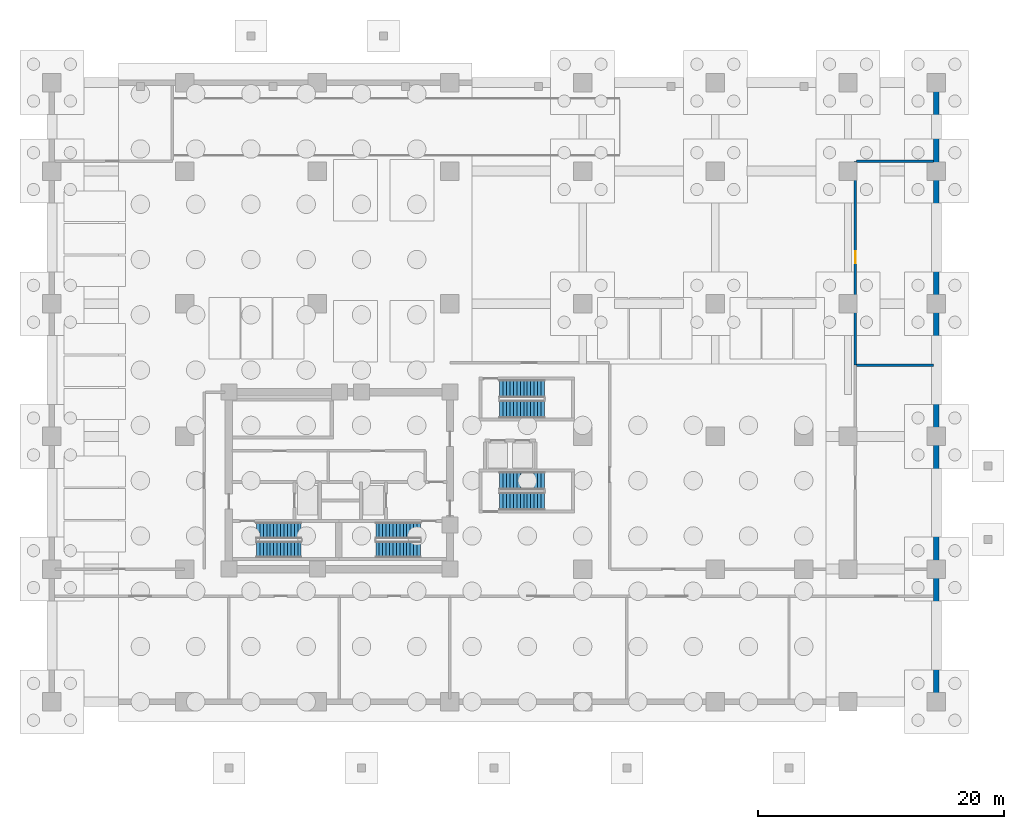
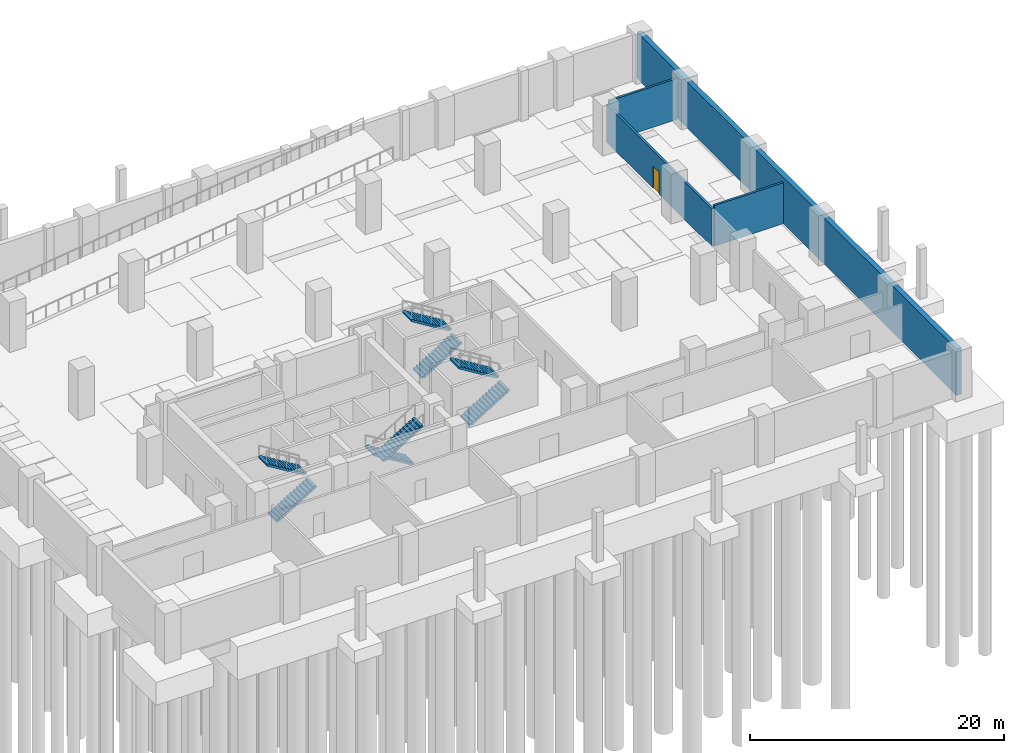
# One storey, part 5 of 9: 8 stair flights, 4 walls, 1 door, 1 opening, 4 elements without a shape of their own.
"""IFC4 building model written with IfcOpenShell, lengths in metres."""

from ifc_helpers import new_model, si_unit, direction, frame, frame_2d, origin, place, context, subcontext, project, spatial, polyline, rectangle, outline, extrude, material, layer, layer_set, type_object, element, fill, aggregate, save


model = new_model("IFC4")

# Units and contexts
model_context = context("Model", 3, precision=1e-05, world=origin(), true_north=direction((0.0, 1.0)))
body_context = subcontext(model_context, "Body", "Model", "MODEL_VIEW")
ifc_project = project(units=[si_unit("LENGTHUNIT", "METRE"), si_unit("AREAUNIT", "SQUARE_METRE"), si_unit("VOLUMEUNIT", "CUBIC_METRE"), si_unit("PLANEANGLEUNIT", "RADIAN"), si_unit("MASSUNIT", "GRAM", prefix="KILO")], contexts=[model_context])

# Site, building, storey
site_placement = place(None, origin())
site = spatial("IfcSite", under=ifc_project, at=site_placement, CompositionType="ELEMENT")
building_placement = place(site_placement, origin())
building = spatial("IfcBuilding", under=site, at=building_placement, Name="Solnavia Interchange Tower", CompositionType="ELEMENT")
storey_placement = place(building_placement, frame((0.0, 0.0, -9.60009765625)))
storey = spatial("IfcBuildingStorey", under=building, at=storey_placement, Name="B02", CompositionType="ELEMENT", Elevation=-9.60009765625)

# Wall, opening, door
ifc_material_1 = material(Name="Concrete C40/50", Category="concrete")
ifc_layer_1 = layer(ifc_material_1, 0.199951171875)
ifc_layer_set_1 = layer_set([ifc_layer_1], Name="Concrete C40/50")
wall_type_1 = type_object("IfcWallType", Name="Wall-PlantFire-200", PredefinedType="PARTITIONING", material=ifc_layer_set_1)
wall_1_placement = place(storey_placement, frame((65.39990234375, 27.39990234375, 0.0), z_axis=(0.0, 0.0, 1.0), x_axis=(0.0, 1.0, 0.0)))
wall_1 = element("IfcWall", 1, at=wall_1_placement, inside=storey, type_object=wall_type_1, Name="PTW-B02-21 Interior partition wall", PredefinedType="PARTITIONING", context=body_context, shape_type="SweptSolid", body=[
    extrude(rectangle(XDim=16.60009765625, YDim=0.199951171875, at=frame_2d((8.300048828125, 0.0))), origin(), (0.0, 0.0, 1.0), 3.630126953125),
])
opening_placement = place(wall_1_placement, frame((8.279052734375, 0.0, 0.0)))
opening = element("IfcOpeningElement", 2, at=opening_placement, cuts=wall_1, Name="Opening DR-04", PredefinedType="OPENING", context=body_context, shape_type="SweptSolid", body=[
    extrude(rectangle(XDim=1.0, YDim=2.10009765625, at=frame_2d((0.5, 1.050048828125))), frame((0.0, 0.10986328125, 0.0), z_axis=(0.0, -1.0, 0.0), x_axis=(1.0, 0.0, 0.0)), (0.0, 0.0, 1.0), 0.219970703125),
])
ifc_material_2 = material(Name="Steel Fire-Rated Plant Door", Category="steel")
door_type = type_object("IfcDoorType", Name="Door-PlantFire-1000x2100", OperationType="SINGLE_SWING_LEFT", PredefinedType="DOOR", material=ifc_material_2)
door_placement = place(opening_placement, origin())
door = element("IfcDoor", 3, at=door_placement, inside=storey, type_object=door_type, Name="DR-B02-14 Interior room door", OperationType="SINGLE_SWING_RIGHT", OverallHeight=2.10009765625, OverallWidth=1.0, PredefinedType="DOOR", context=body_context, shape_type="SweptSolid", body=[
    extrude(rectangle(XDim=1.0, YDim=2.10009765625, at=frame_2d((0.5, 1.050048828125))), frame((0.0, 0.02490234375, 0.0), z_axis=(0.0, -1.0, 0.0), x_axis=(1.0, 0.0, 0.0)), (0.0, 0.0, 1.0), 0.050048828125),
])
fill(opening, door)

# Walls
for number, where, z_axis, x_axis, name in (
    (4, (65.50390625, 27.39990234375, 0.0), (0.0, 0.0, 1.0), (1.0, 0.0, 0.0), "PTW-B02-22 Interior partition wall"),
    (5, (65.50390625, 44.0, 0.0), (0.0, 0.0, 1.0), (1.0, 0.0, 0.0), "PTW-B02-23 Interior partition wall"),
):
    element("IfcWall", number, at=place(storey_placement, frame(where, z_axis=z_axis, x_axis=x_axis)), inside=storey, type_object=wall_type_1, Name=name, PredefinedType="PARTITIONING", context=body_context, shape_type="SweptSolid", body=[
        extrude(rectangle(XDim=6.26708984375, YDim=0.199951171875, at=frame_2d((3.133544921875, 0.0))), origin(), (0.0, 0.0, 1.0), 3.93017578125),
    ])
ifc_layer_2 = layer(ifc_material_1, 0.449951171875)
ifc_layer_set_2 = layer_set([ifc_layer_2], Name="Concrete C40/50")
wall_type_2 = type_object("IfcWallType", Name="Wall-Retaining-450", PredefinedType="SOLIDWALL", material=ifc_layer_set_2)
wall_2_placement = place(storey_placement, frame((72.0, 0.0, 0.0), z_axis=(0.0, 0.0, 1.0), x_axis=(0.0, 1.0, 0.0)))
element("IfcWall", 6, at=wall_2_placement, inside=storey, type_object=wall_type_2, Name="RTW-B02-02 Basement perimeter retaining wall", PredefinedType="SOLIDWALL", context=body_context, shape_type="SweptSolid", body=[
    extrude(rectangle(XDim=50.39990234375, YDim=0.449951171875, at=frame_2d((25.199951171875, 0.0))), origin(), (0.0, 0.0, 1.0), 4.4501953125),
])

# Stair, stair flights
stair_type = type_object("IfcStairType", Name="Stair-Dogleg-RC", PredefinedType="HALF_TURN_STAIR", material=ifc_material_1)
stair_1_placement = place(storey_placement, origin())
stair_1 = element("IfcStair", 7, at=stair_1_placement, inside=storey, type_object=stair_type, Name="B02 Core exit stair 1", PredefinedType="HALF_TURN_STAIR")
stair_flight_type = type_object("IfcStairFlightType", Name="StairFlight-RC-150", PredefinedType="STRAIGHT", material=ifc_material_1)
stair_flight_1_placement = place(storey_placement, frame((16.64990234375, 12.409912109375, 0.0), z_axis=(0.0, 0.0, 1.0), x_axis=(1.0, 0.0, 0.0)))
stair_flight_1 = element("IfcStairFlight", 8, at=stair_flight_1_placement, type_object=stair_flight_type, Name="ST-1 flight 1", NumberOfRisers=14, NumberOfTreads=13, PredefinedType="STRAIGHT", RiserHeight=0.171428571, TreadLength=0.28, context=body_context, shape_type="SweptSolid", body=[
    extrude(outline(polyline([(0.0, 0.0), (0.0, 0.17138671875), (0.280029296875, 0.17138671875), (0.280029296875, 0.3427734375), (0.56005859375, 0.3427734375), (0.56005859375, 0.514404296875), (0.840087890625, 0.514404296875), (0.840087890625, 0.685791015625), (1.1201171875, 0.685791015625), (1.1201171875, 0.857177734375), (1.39990234375, 0.857177734375), (1.39990234375, 1.028564453125), (1.679931640625, 1.028564453125), (1.679931640625, 1.199951171875), (1.9599609375, 1.199951171875), (1.9599609375, 1.371337890625), (2.239990234375, 1.371337890625), (2.239990234375, 1.54296875), (2.52001953125, 1.54296875), (2.52001953125, 1.71435546875), (2.800048828125, 1.71435546875), (2.800048828125, 1.8857421875), (3.080078125, 1.8857421875), (3.080078125, 2.05712890625), (3.360107421875, 2.05712890625), (3.360107421875, 2.228515625), (3.639892578125, 2.228515625), (3.639892578125, 2.39990234375), (3.639892578125, 2.052734375), (0.287109375, 0.0), (0.0, 0.0)])), frame((0.0, 0.66015625, 0.0), z_axis=(0.0, -1.0, 0.0), x_axis=(1.0, 0.0, 0.0)), (0.0, 0.0, 1.0), 1.320068359375),
])
stair_flight_2_placement = place(storey_placement, frame((20.2900390625, 13.929931640625, 2.400146484375), z_axis=(0.0, 0.0, 1.0), x_axis=(-1.0, 0.0, 0.0)))
stair_flight_2 = element("IfcStairFlight", 9, at=stair_flight_2_placement, type_object=stair_flight_type, Name="ST-1 flight 2", NumberOfRisers=14, NumberOfTreads=13, PredefinedType="STRAIGHT", RiserHeight=0.171428571, TreadLength=0.28, context=body_context, shape_type="SweptSolid", body=[
    extrude(outline(polyline([(0.0, 0.0), (0.0, 0.17138671875), (0.280029296875, 0.17138671875), (0.280029296875, 0.3427734375), (0.56005859375, 0.3427734375), (0.56005859375, 0.514404296875), (0.840087890625, 0.514404296875), (0.840087890625, 0.685791015625), (1.1201171875, 0.685791015625), (1.1201171875, 0.857177734375), (1.39990234375, 0.857177734375), (1.39990234375, 1.028564453125), (1.679931640625, 1.028564453125), (1.679931640625, 1.199951171875), (1.9599609375, 1.199951171875), (1.9599609375, 1.371337890625), (2.239990234375, 1.371337890625), (2.239990234375, 1.54296875), (2.52001953125, 1.54296875), (2.52001953125, 1.71435546875), (2.800048828125, 1.71435546875), (2.800048828125, 1.8857421875), (3.080078125, 1.8857421875), (3.080078125, 2.05712890625), (3.360107421875, 2.05712890625), (3.360107421875, 2.228515625), (3.639892578125, 2.228515625), (3.639892578125, 2.39990234375), (3.639892578125, 2.052734375), (0.287109375, 0.0), (0.0, 0.0)])), frame((0.0, 0.66015625, 0.0), z_axis=(0.0, -1.0, 0.0), x_axis=(1.0, 0.0, 0.0)), (0.0, 0.0, 1.0), 1.320068359375),
])
aggregate(stair_1, [stair_flight_1, stair_flight_2])

stair_2_placement = place(storey_placement, origin())
stair_2 = element("IfcStair", 10, at=stair_2_placement, inside=storey, type_object=stair_type, Name="B02 Core exit stair 2", PredefinedType="HALF_TURN_STAIR")
stair_flight_3_placement = place(storey_placement, frame((30.0, 13.929931640625, 0.0), z_axis=(0.0, 0.0, 1.0), x_axis=(-1.0, 0.0, 0.0)))
stair_flight_3 = element("IfcStairFlight", 11, at=stair_flight_3_placement, type_object=stair_flight_type, Name="ST-2 flight 1", NumberOfRisers=14, NumberOfTreads=13, PredefinedType="STRAIGHT", RiserHeight=0.171428571, TreadLength=0.28, context=body_context, shape_type="SweptSolid", body=[
    extrude(outline(polyline([(0.0, 0.0), (0.0, 0.17138671875), (0.280029296875, 0.17138671875), (0.280029296875, 0.3427734375), (0.56005859375, 0.3427734375), (0.56005859375, 0.514404296875), (0.840087890625, 0.514404296875), (0.840087890625, 0.685791015625), (1.1201171875, 0.685791015625), (1.1201171875, 0.857177734375), (1.39990234375, 0.857177734375), (1.39990234375, 1.028564453125), (1.679931640625, 1.028564453125), (1.679931640625, 1.199951171875), (1.9599609375, 1.199951171875), (1.9599609375, 1.371337890625), (2.239990234375, 1.371337890625), (2.239990234375, 1.54296875), (2.52001953125, 1.54296875), (2.52001953125, 1.71435546875), (2.800048828125, 1.71435546875), (2.800048828125, 1.8857421875), (3.080078125, 1.8857421875), (3.080078125, 2.05712890625), (3.360107421875, 2.05712890625), (3.360107421875, 2.228515625), (3.639892578125, 2.228515625), (3.639892578125, 2.39990234375), (3.639892578125, 2.052734375), (0.287109375, 0.0), (0.0, 0.0)])), frame((0.0, 0.66015625, 0.0), z_axis=(0.0, -1.0, 0.0), x_axis=(1.0, 0.0, 0.0)), (0.0, 0.0, 1.0), 1.320068359375),
])
stair_flight_4_placement = place(storey_placement, frame((26.360107421875, 12.409912109375, 2.400146484375), z_axis=(0.0, 0.0, 1.0), x_axis=(1.0, 0.0, 0.0)))
stair_flight_4 = element("IfcStairFlight", 12, at=stair_flight_4_placement, type_object=stair_flight_type, Name="ST-2 flight 2", NumberOfRisers=14, NumberOfTreads=13, PredefinedType="STRAIGHT", RiserHeight=0.171428571, TreadLength=0.28, context=body_context, shape_type="SweptSolid", body=[
    extrude(outline(polyline([(0.0, 0.0), (0.0, 0.17138671875), (0.280029296875, 0.17138671875), (0.280029296875, 0.3427734375), (0.56005859375, 0.3427734375), (0.56005859375, 0.514404296875), (0.840087890625, 0.514404296875), (0.840087890625, 0.685791015625), (1.1201171875, 0.685791015625), (1.1201171875, 0.857177734375), (1.39990234375, 0.857177734375), (1.39990234375, 1.028564453125), (1.679931640625, 1.028564453125), (1.679931640625, 1.199951171875), (1.9599609375, 1.199951171875), (1.9599609375, 1.371337890625), (2.239990234375, 1.371337890625), (2.239990234375, 1.54296875), (2.52001953125, 1.54296875), (2.52001953125, 1.71435546875), (2.800048828125, 1.71435546875), (2.800048828125, 1.8857421875), (3.080078125, 1.8857421875), (3.080078125, 2.05712890625), (3.360107421875, 2.05712890625), (3.360107421875, 2.228515625), (3.639892578125, 2.228515625), (3.639892578125, 2.39990234375), (3.639892578125, 2.052734375), (0.287109375, 0.0), (0.0, 0.0)])), frame((0.0, 0.66015625, 0.0), z_axis=(0.0, -1.0, 0.0), x_axis=(1.0, 0.0, 0.0)), (0.0, 0.0, 1.0), 1.320068359375),
])
aggregate(stair_2, [stair_flight_3, stair_flight_4])

stair_3_placement = place(storey_placement, origin())
stair_3 = element("IfcStair", 13, at=stair_3_placement, inside=storey, type_object=stair_type, Name="B02 Podium exit stair 1", PredefinedType="HALF_TURN_STAIR")
stair_flight_5_placement = place(storey_placement, frame((36.449951171875, 16.324951171875, 0.0), z_axis=(0.0, 0.0, 1.0), x_axis=(1.0, 0.0, 0.0)))
stair_flight_5 = element("IfcStairFlight", 14, at=stair_flight_5_placement, type_object=stair_flight_type, Name="ST-P1 flight 1", NumberOfRisers=14, NumberOfTreads=13, PredefinedType="STRAIGHT", RiserHeight=0.171428571, TreadLength=0.28, context=body_context, shape_type="SweptSolid", body=[
    extrude(outline(polyline([(0.0, 0.0), (0.0, 0.17138671875), (0.280029296875, 0.17138671875), (0.280029296875, 0.3427734375), (0.56005859375, 0.3427734375), (0.56005859375, 0.514404296875), (0.840087890625, 0.514404296875), (0.840087890625, 0.685791015625), (1.1201171875, 0.685791015625), (1.1201171875, 0.857177734375), (1.39990234375, 0.857177734375), (1.39990234375, 1.028564453125), (1.679931640625, 1.028564453125), (1.679931640625, 1.199951171875), (1.9599609375, 1.199951171875), (1.9599609375, 1.371337890625), (2.239990234375, 1.371337890625), (2.239990234375, 1.54296875), (2.52001953125, 1.54296875), (2.52001953125, 1.71435546875), (2.800048828125, 1.71435546875), (2.800048828125, 1.8857421875), (3.080078125, 1.8857421875), (3.080078125, 2.05712890625), (3.360107421875, 2.05712890625), (3.360107421875, 2.228515625), (3.639892578125, 2.228515625), (3.639892578125, 2.39990234375), (3.639892578125, 2.052734375), (0.287109375, 0.0), (0.0, 0.0)])), frame((0.0, 0.72509765625, 0.0), z_axis=(0.0, -1.0, 0.0), x_axis=(1.0, 0.0, 0.0)), (0.0, 0.0, 1.0), 1.449951171875),
])
stair_flight_6_placement = place(storey_placement, frame((40.090087890625, 17.97509765625, 2.400146484375), z_axis=(0.0, 0.0, 1.0), x_axis=(-1.0, 0.0, 0.0)))
stair_flight_6 = element("IfcStairFlight", 15, at=stair_flight_6_placement, type_object=stair_flight_type, Name="ST-P1 flight 2", NumberOfRisers=14, NumberOfTreads=13, PredefinedType="STRAIGHT", RiserHeight=0.171428571, TreadLength=0.28, context=body_context, shape_type="SweptSolid", body=[
    extrude(outline(polyline([(0.0, 0.0), (0.0, 0.17138671875), (0.280029296875, 0.17138671875), (0.280029296875, 0.3427734375), (0.56005859375, 0.3427734375), (0.56005859375, 0.514404296875), (0.840087890625, 0.514404296875), (0.840087890625, 0.685791015625), (1.1201171875, 0.685791015625), (1.1201171875, 0.857177734375), (1.39990234375, 0.857177734375), (1.39990234375, 1.028564453125), (1.679931640625, 1.028564453125), (1.679931640625, 1.199951171875), (1.9599609375, 1.199951171875), (1.9599609375, 1.371337890625), (2.239990234375, 1.371337890625), (2.239990234375, 1.54296875), (2.52001953125, 1.54296875), (2.52001953125, 1.71435546875), (2.800048828125, 1.71435546875), (2.800048828125, 1.8857421875), (3.080078125, 1.8857421875), (3.080078125, 2.05712890625), (3.360107421875, 2.05712890625), (3.360107421875, 2.228515625), (3.639892578125, 2.228515625), (3.639892578125, 2.39990234375), (3.639892578125, 2.052734375), (0.287109375, 0.0), (0.0, 0.0)])), frame((0.0, 0.72509765625, 0.0), z_axis=(0.0, -1.0, 0.0), x_axis=(1.0, 0.0, 0.0)), (0.0, 0.0, 1.0), 1.449951171875),
])
aggregate(stair_3, [stair_flight_5, stair_flight_6])

stair_4_placement = place(storey_placement, origin())
stair_4 = element("IfcStair", 16, at=stair_4_placement, inside=storey, type_object=stair_type, Name="B02 Podium exit stair 2", PredefinedType="HALF_TURN_STAIR")
stair_flight_7_placement = place(storey_placement, frame((36.449951171875, 23.824951171875, 0.0), z_axis=(0.0, 0.0, 1.0), x_axis=(1.0, 0.0, 0.0)))
stair_flight_7 = element("IfcStairFlight", 17, at=stair_flight_7_placement, type_object=stair_flight_type, Name="ST-P2 flight 1", NumberOfRisers=14, NumberOfTreads=13, PredefinedType="STRAIGHT", RiserHeight=0.171428571, TreadLength=0.28, context=body_context, shape_type="SweptSolid", body=[
    extrude(outline(polyline([(0.0, 0.0), (0.0, 0.17138671875), (0.280029296875, 0.17138671875), (0.280029296875, 0.3427734375), (0.56005859375, 0.3427734375), (0.56005859375, 0.514404296875), (0.840087890625, 0.514404296875), (0.840087890625, 0.685791015625), (1.1201171875, 0.685791015625), (1.1201171875, 0.857177734375), (1.39990234375, 0.857177734375), (1.39990234375, 1.028564453125), (1.679931640625, 1.028564453125), (1.679931640625, 1.199951171875), (1.9599609375, 1.199951171875), (1.9599609375, 1.371337890625), (2.239990234375, 1.371337890625), (2.239990234375, 1.54296875), (2.52001953125, 1.54296875), (2.52001953125, 1.71435546875), (2.800048828125, 1.71435546875), (2.800048828125, 1.8857421875), (3.080078125, 1.8857421875), (3.080078125, 2.05712890625), (3.360107421875, 2.05712890625), (3.360107421875, 2.228515625), (3.639892578125, 2.228515625), (3.639892578125, 2.39990234375), (3.639892578125, 2.052734375), (0.287109375, 0.0), (0.0, 0.0)])), frame((0.0, 0.72509765625, 0.0), z_axis=(0.0, -1.0, 0.0), x_axis=(1.0, 0.0, 0.0)), (0.0, 0.0, 1.0), 1.449951171875),
])
stair_flight_8_placement = place(storey_placement, frame((40.090087890625, 25.47509765625, 2.400146484375), z_axis=(0.0, 0.0, 1.0), x_axis=(-1.0, 0.0, 0.0)))
stair_flight_8 = element("IfcStairFlight", 18, at=stair_flight_8_placement, type_object=stair_flight_type, Name="ST-P2 flight 2", NumberOfRisers=14, NumberOfTreads=13, PredefinedType="STRAIGHT", RiserHeight=0.171428571, TreadLength=0.28, context=body_context, shape_type="SweptSolid", body=[
    extrude(outline(polyline([(0.0, 0.0), (0.0, 0.17138671875), (0.280029296875, 0.17138671875), (0.280029296875, 0.3427734375), (0.56005859375, 0.3427734375), (0.56005859375, 0.514404296875), (0.840087890625, 0.514404296875), (0.840087890625, 0.685791015625), (1.1201171875, 0.685791015625), (1.1201171875, 0.857177734375), (1.39990234375, 0.857177734375), (1.39990234375, 1.028564453125), (1.679931640625, 1.028564453125), (1.679931640625, 1.199951171875), (1.9599609375, 1.199951171875), (1.9599609375, 1.371337890625), (2.239990234375, 1.371337890625), (2.239990234375, 1.54296875), (2.52001953125, 1.54296875), (2.52001953125, 1.71435546875), (2.800048828125, 1.71435546875), (2.800048828125, 1.8857421875), (3.080078125, 1.8857421875), (3.080078125, 2.05712890625), (3.360107421875, 2.05712890625), (3.360107421875, 2.228515625), (3.639892578125, 2.228515625), (3.639892578125, 2.39990234375), (3.639892578125, 2.052734375), (0.287109375, 0.0), (0.0, 0.0)])), frame((0.0, 0.72509765625, 0.0), z_axis=(0.0, -1.0, 0.0), x_axis=(1.0, 0.0, 0.0)), (0.0, 0.0, 1.0), 1.449951171875),
])
aggregate(stair_4, [stair_flight_7, stair_flight_8])

save(model, "model.ifc")
